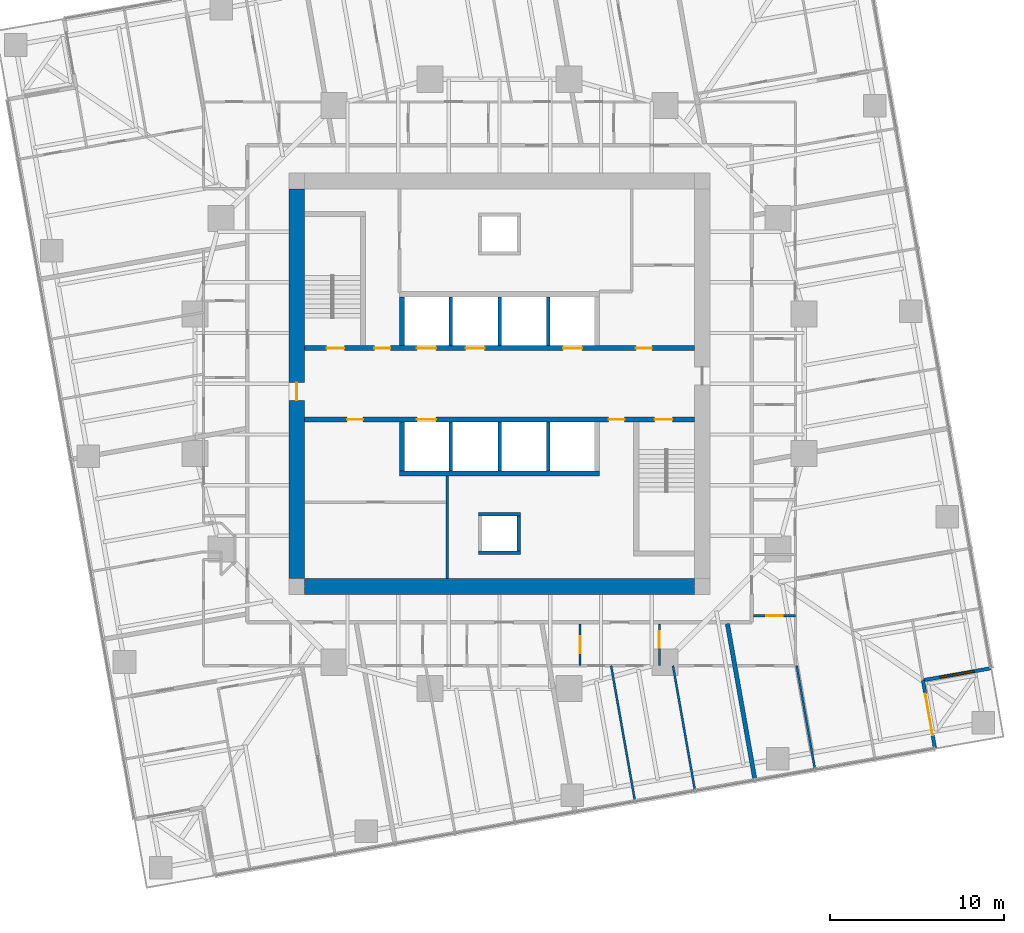
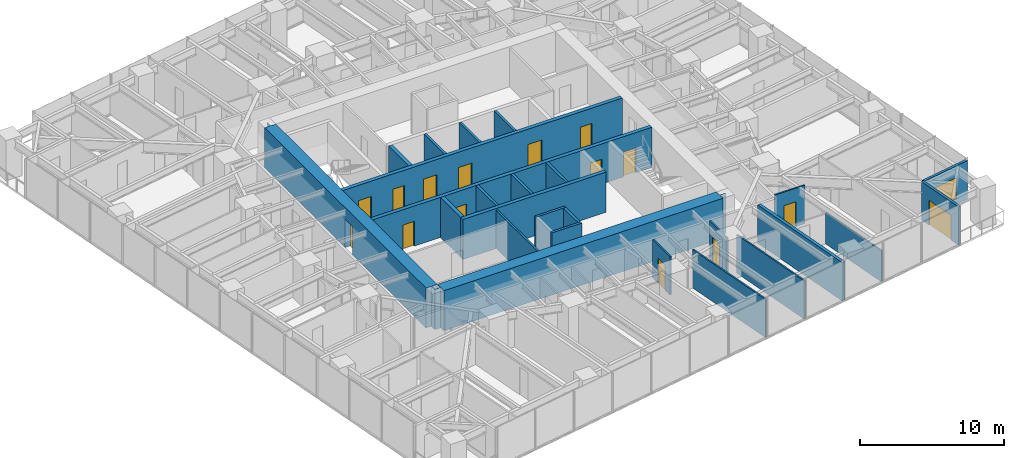
# One storey, part 10 of 14: 26 walls, 15 doors, 1 window, 16 openings.
"""IFC4 building model written with IfcOpenShell, lengths in metres."""

from ifc_helpers import new_model, si_unit, direction, frame, frame_2d, origin, place, context, subcontext, project, spatial, polyline, rectangle, outline, extrude, material, layer, layer_set, type_object, element, fill, save


model = new_model("IFC4")

# Units and contexts
model_context = context("Model", 3, precision=1e-05, world=origin(), true_north=direction((0.0, 1.0)))
body_context = subcontext(model_context, "Body", "Model", "MODEL_VIEW")
ifc_project = project(units=[si_unit("LENGTHUNIT", "METRE"), si_unit("AREAUNIT", "SQUARE_METRE"), si_unit("VOLUMEUNIT", "CUBIC_METRE"), si_unit("PLANEANGLEUNIT", "RADIAN"), si_unit("MASSUNIT", "GRAM", prefix="KILO")], contexts=[model_context])

# Site, building, storey
site_placement = place(None, origin())
site = spatial("IfcSite", under=ifc_project, at=site_placement, CompositionType="ELEMENT")
building_placement = place(site_placement, origin())
building = spatial("IfcBuilding", under=site, at=building_placement, Name="Torsade Residences", CompositionType="ELEMENT")
storey_placement = place(building_placement, frame((0.0, 0.0, 89.60009765625)))
storey = spatial("IfcBuildingStorey", under=building, at=storey_placement, Name="L24", CompositionType="ELEMENT", Elevation=89.60009765625)

# Wall, openings, doors
ifc_material_1 = material(Name="Concrete 80 MPa", Category="concrete")
ifc_layer_1 = layer(ifc_material_1, 0.300048828125)
ifc_layer_set_1 = layer_set([ifc_layer_1], Name="Concrete 80 MPa")
wall_type_1 = type_object("IfcWallType", Name="CORE INTERNAL WALL 300", PredefinedType="SHEAR", material=ifc_layer_set_1)
wall_1_placement = place(storey_placement, frame((28.800048828125, 32.050048828125, 0.0), z_axis=(0.0, 0.0, 1.0), x_axis=(1.0, 0.0, 0.0)))
wall_1 = element("IfcWall", 1, at=wall_1_placement, inside=storey, type_object=wall_type_1, Name="Core wall LN L24", PredefinedType="SHEAR", context=body_context, shape_type="SweptSolid", body=[
    extrude(rectangle(XDim=22.39990234375, YDim=0.300048828125, at=frame_2d((11.199951171875, 0.0))), origin(), (0.0, 0.0, 1.0), 3.39990234375),
])
opening_1_placement = place(wall_1_placement, frame((19.0400390625, 0.0, 0.0)))
opening_1 = element("IfcOpeningElement", 2, at=opening_1_placement, cuts=wall_1, Name="Opening D06", PredefinedType="OPENING", context=body_context, shape_type="SweptSolid", body=[
    extrude(rectangle(XDim=0.919921875, YDim=2.10009765625, at=frame_2d((0.4599609375, 1.050048828125))), frame((0.0, 0.159912109375, 0.0), z_axis=(0.0, -1.0, 0.0), x_axis=(1.0, 0.0, 0.0)), (0.0, 0.0, 1.0), 0.320068359375),
])
opening_2_placement = place(wall_1_placement, frame((1.264892578125, 0.0, 0.0)))
opening_2 = element("IfcOpeningElement", 3, at=opening_2_placement, cuts=wall_1, Name="Opening D03", PredefinedType="OPENING", context=body_context, shape_type="SweptSolid", body=[
    extrude(rectangle(XDim=1.02001953125, YDim=2.10009765625, at=frame_2d((0.510009765625, 1.050048828125))), frame((0.0, 0.159912109375, 0.0), z_axis=(0.0, -1.0, 0.0), x_axis=(1.0, 0.0, 0.0)), (0.0, 0.0, 1.0), 0.320068359375),
])
opening_3_placement = place(wall_1_placement, frame((4.014892578125, 0.0, 0.0)))
opening_3 = element("IfcOpeningElement", 4, at=opening_3_placement, cuts=wall_1, Name="Opening D06", PredefinedType="OPENING", context=body_context, shape_type="SweptSolid", body=[
    extrude(rectangle(XDim=0.919921875, YDim=2.10009765625, at=frame_2d((0.4599609375, 1.050048828125))), frame((0.0, 0.159912109375, 0.0), z_axis=(0.0, -1.0, 0.0), x_axis=(1.0, 0.0, 0.0)), (0.0, 0.0, 1.0), 0.320068359375),
])
opening_4_placement = place(wall_1_placement, frame((6.449951171875, 0.0, 0.0)))
opening_4 = element("IfcOpeningElement", 5, at=opening_4_placement, cuts=wall_1, Name="Opening LD", PredefinedType="OPENING", context=body_context, shape_type="SweptSolid", body=[
    extrude(rectangle(XDim=1.10009765625, YDim=2.10009765625, at=frame_2d((0.550048828125, 1.050048828125))), frame((0.0, 0.159912109375, 0.0), z_axis=(0.0, -1.0, 0.0), x_axis=(1.0, 0.0, 0.0)), (0.0, 0.0, 1.0), 0.320068359375),
])
opening_5_placement = place(wall_1_placement, frame((9.25, 0.0, 0.0)))
opening_5 = element("IfcOpeningElement", 6, at=opening_5_placement, cuts=wall_1, Name="Opening LD", PredefinedType="OPENING", context=body_context, shape_type="SweptSolid", body=[
    extrude(rectangle(XDim=1.10009765625, YDim=2.10009765625, at=frame_2d((0.550048828125, 1.050048828125))), frame((0.0, 0.159912109375, 0.0), z_axis=(0.0, -1.0, 0.0), x_axis=(1.0, 0.0, 0.0)), (0.0, 0.0, 1.0), 0.320068359375),
])
opening_6_placement = place(wall_1_placement, frame((14.85009765625, 0.0, 0.0)))
opening_6 = element("IfcOpeningElement", 7, at=opening_6_placement, cuts=wall_1, Name="Opening LD", PredefinedType="OPENING", context=body_context, shape_type="SweptSolid", body=[
    extrude(rectangle(XDim=1.10009765625, YDim=2.10009765625, at=frame_2d((0.550048828125, 1.050048828125))), frame((0.0, 0.159912109375, 0.0), z_axis=(0.0, -1.0, 0.0), x_axis=(1.0, 0.0, 0.0)), (0.0, 0.0, 1.0), 0.320068359375),
])
ifc_material_2 = material(Name="Steel-framed fire door", Category="steel")
door_type_1 = type_object("IfcDoorType", Name="FIRE DOOR 1020", OperationType="NOTDEFINED", PredefinedType="DOOR", material=ifc_material_2)
door_1_placement = place(opening_2_placement, origin())
door_1 = element("IfcDoor", 8, at=door_1_placement, inside=storey, type_object=door_type_1, Name="Exit door to fire-isolated stair ST1 L24", OperationType="SINGLE_SWING_RIGHT", OverallHeight=2.10009765625, OverallWidth=1.02001953125, PredefinedType="DOOR", context=body_context, shape_type="SweptSolid", body=[
    extrude(rectangle(XDim=1.02001953125, YDim=2.10009765625, at=frame_2d((0.510009765625, 1.050048828125))), frame((0.0, 0.02490234375, 0.0), z_axis=(0.0, -1.0, 0.0), x_axis=(1.0, 0.0, 0.0)), (0.0, 0.0, 1.0), 0.050048828125),
])
fill(opening_2, door_1)
ifc_material_3 = material(Name="Steel-framed fire door", Category="steel")
door_type_2 = type_object("IfcDoorType", Name="FIRE DOOR 920", OperationType="NOTDEFINED", PredefinedType="DOOR", material=ifc_material_3)
door_2_placement = place(opening_1_placement, origin())
door_2 = element("IfcDoor", 9, at=door_2_placement, inside=storey, type_object=door_type_2, Name="Door Lift lobby to Refuse room", OperationType="SINGLE_SWING_LEFT", OverallHeight=2.10009765625, OverallWidth=0.919921875, PredefinedType="DOOR", context=body_context, shape_type="SweptSolid", body=[
    extrude(rectangle(XDim=0.919921875, YDim=2.10009765625, at=frame_2d((0.4599609375, 1.050048828125))), frame((0.0, 0.02490234375, 0.0), z_axis=(0.0, -1.0, 0.0), x_axis=(1.0, 0.0, 0.0)), (0.0, 0.0, 1.0), 0.050048828125),
])
fill(opening_1, door_2)
door_3_placement = place(opening_3_placement, origin())
door_3 = element("IfcDoor", 10, at=door_3_placement, inside=storey, type_object=door_type_2, Name="Door Lift lobby to Meter store", OperationType="SINGLE_SWING_LEFT", OverallHeight=2.10009765625, OverallWidth=0.919921875, PredefinedType="DOOR", context=body_context, shape_type="SweptSolid", body=[
    extrude(rectangle(XDim=0.919921875, YDim=2.10009765625, at=frame_2d((0.4599609375, 1.050048828125))), frame((0.0, 0.02490234375, 0.0), z_axis=(0.0, -1.0, 0.0), x_axis=(1.0, 0.0, 0.0)), (0.0, 0.0, 1.0), 0.050048828125),
])
fill(opening_3, door_3)
ifc_material_4 = material(Name="Stainless steel lift landing door", Category="steel")
door_type_3 = type_object("IfcDoorType", Name="LIFT LANDING DOOR 1100", OperationType="SLIDING_TO_LEFT", PredefinedType="DOOR", material=ifc_material_4)
door_4_placement = place(opening_4_placement, origin())
door_4 = element("IfcDoor", 11, at=door_4_placement, inside=storey, type_object=door_type_3, Name="Lift LA1 landing door L24", OperationType="SLIDING_TO_LEFT", OverallHeight=2.10009765625, OverallWidth=1.10009765625, PredefinedType="DOOR", context=body_context, shape_type="SweptSolid", body=[
    extrude(rectangle(XDim=1.10009765625, YDim=2.10009765625, at=frame_2d((0.550048828125, 1.050048828125))), frame((0.0, 0.02490234375, 0.0), z_axis=(0.0, -1.0, 0.0), x_axis=(1.0, 0.0, 0.0)), (0.0, 0.0, 1.0), 0.050048828125),
])
fill(opening_4, door_4)
door_5_placement = place(opening_5_placement, origin())
door_5 = element("IfcDoor", 12, at=door_5_placement, inside=storey, type_object=door_type_3, Name="Lift LA2 landing door L24", OperationType="SLIDING_TO_LEFT", OverallHeight=2.10009765625, OverallWidth=1.10009765625, PredefinedType="DOOR", context=body_context, shape_type="SweptSolid", body=[
    extrude(rectangle(XDim=1.10009765625, YDim=2.10009765625, at=frame_2d((0.550048828125, 1.050048828125))), frame((0.0, 0.02490234375, 0.0), z_axis=(0.0, -1.0, 0.0), x_axis=(1.0, 0.0, 0.0)), (0.0, 0.0, 1.0), 0.050048828125),
])
fill(opening_5, door_5)
door_6_placement = place(opening_6_placement, origin())
door_6 = element("IfcDoor", 13, at=door_6_placement, inside=storey, type_object=door_type_3, Name="Lift FL1 landing door L24", OperationType="SLIDING_TO_LEFT", OverallHeight=2.10009765625, OverallWidth=1.10009765625, PredefinedType="DOOR", context=body_context, shape_type="SweptSolid", body=[
    extrude(rectangle(XDim=1.10009765625, YDim=2.10009765625, at=frame_2d((0.550048828125, 1.050048828125))), frame((0.0, 0.02490234375, 0.0), z_axis=(0.0, -1.0, 0.0), x_axis=(1.0, 0.0, 0.0)), (0.0, 0.0, 1.0), 0.050048828125),
])
fill(opening_6, door_6)

wall_2_placement = place(storey_placement, frame((51.199951171875, 27.949951171875, 0.0), z_axis=(0.0, 0.0, 1.0), x_axis=(-1.0, 0.0, 0.0)))
wall_2 = element("IfcWall", 14, at=wall_2_placement, inside=storey, type_object=wall_type_1, Name="Core wall LS L24", PredefinedType="SHEAR", context=body_context, shape_type="SweptSolid", body=[
    extrude(rectangle(XDim=22.39990234375, YDim=0.300048828125, at=frame_2d((11.199951171875, 0.0))), origin(), (0.0, 0.0, 1.0), 3.39990234375),
])
opening_7_placement = place(wall_2_placement, frame((19.0400390625, 0.0, 0.0)))
opening_7 = element("IfcOpeningElement", 15, at=opening_7_placement, cuts=wall_2, Name="Opening D06", PredefinedType="OPENING", context=body_context, shape_type="SweptSolid", body=[
    extrude(rectangle(XDim=0.919921875, YDim=2.10009765625, at=frame_2d((0.4599609375, 1.050048828125))), frame((0.0, 0.159912109375, 0.0), z_axis=(0.0, -1.0, 0.0), x_axis=(1.0, 0.0, 0.0)), (0.0, 0.0, 1.0), 0.320068359375),
])
opening_8_placement = place(wall_2_placement, frame((1.264892578125, 0.0, 0.0)))
opening_8 = element("IfcOpeningElement", 16, at=opening_8_placement, cuts=wall_2, Name="Opening D03", PredefinedType="OPENING", context=body_context, shape_type="SweptSolid", body=[
    extrude(rectangle(XDim=1.02001953125, YDim=2.10009765625, at=frame_2d((0.510009765625, 1.050048828125))), frame((0.0, 0.159912109375, 0.0), z_axis=(0.0, -1.0, 0.0), x_axis=(1.0, 0.0, 0.0)), (0.0, 0.0, 1.0), 0.320068359375),
])
opening_9_placement = place(wall_2_placement, frame((4.014892578125, 0.0, 0.0)))
opening_9 = element("IfcOpeningElement", 17, at=opening_9_placement, cuts=wall_2, Name="Opening D06", PredefinedType="OPENING", context=body_context, shape_type="SweptSolid", body=[
    extrude(rectangle(XDim=0.919921875, YDim=2.10009765625, at=frame_2d((0.4599609375, 1.050048828125))), frame((0.0, 0.159912109375, 0.0), z_axis=(0.0, -1.0, 0.0), x_axis=(1.0, 0.0, 0.0)), (0.0, 0.0, 1.0), 0.320068359375),
])
opening_10_placement = place(wall_2_placement, frame((14.85009765625, 0.0, 0.0)))
opening_10 = element("IfcOpeningElement", 18, at=opening_10_placement, cuts=wall_2, Name="Opening LD", PredefinedType="OPENING", context=body_context, shape_type="SweptSolid", body=[
    extrude(rectangle(XDim=1.10009765625, YDim=2.10009765625, at=frame_2d((0.550048828125, 1.050048828125))), frame((0.0, 0.159912109375, 0.0), z_axis=(0.0, -1.0, 0.0), x_axis=(1.0, 0.0, 0.0)), (0.0, 0.0, 1.0), 0.320068359375),
])
door_7_placement = place(opening_8_placement, origin())
door_7 = element("IfcDoor", 19, at=door_7_placement, inside=storey, type_object=door_type_1, Name="Exit door to fire-isolated stair ST2 L24", OperationType="SINGLE_SWING_RIGHT", OverallHeight=2.10009765625, OverallWidth=1.02001953125, PredefinedType="DOOR", context=body_context, shape_type="SweptSolid", body=[
    extrude(rectangle(XDim=1.02001953125, YDim=2.10009765625, at=frame_2d((0.510009765625, 1.050048828125))), frame((0.0, 0.02490234375, 0.0), z_axis=(0.0, -1.0, 0.0), x_axis=(1.0, 0.0, 0.0)), (0.0, 0.0, 1.0), 0.050048828125),
])
fill(opening_8, door_7)
door_8_placement = place(opening_7_placement, origin())
door_8 = element("IfcDoor", 20, at=door_8_placement, inside=storey, type_object=door_type_2, Name="Door Lift lobby to Cleaner store", OperationType="SINGLE_SWING_LEFT", OverallHeight=2.10009765625, OverallWidth=0.919921875, PredefinedType="DOOR", context=body_context, shape_type="SweptSolid", body=[
    extrude(rectangle(XDim=0.919921875, YDim=2.10009765625, at=frame_2d((0.4599609375, 1.050048828125))), frame((0.0, 0.02490234375, 0.0), z_axis=(0.0, -1.0, 0.0), x_axis=(1.0, 0.0, 0.0)), (0.0, 0.0, 1.0), 0.050048828125),
])
fill(opening_7, door_8)
door_9_placement = place(opening_9_placement, origin())
door_9 = element("IfcDoor", 21, at=door_9_placement, inside=storey, type_object=door_type_2, Name="Door Lift lobby to Communications riser room", OperationType="SINGLE_SWING_RIGHT", OverallHeight=2.10009765625, OverallWidth=0.919921875, PredefinedType="DOOR", context=body_context, shape_type="SweptSolid", body=[
    extrude(rectangle(XDim=0.919921875, YDim=2.10009765625, at=frame_2d((0.4599609375, 1.050048828125))), frame((0.0, 0.02490234375, 0.0), z_axis=(0.0, -1.0, 0.0), x_axis=(1.0, 0.0, 0.0)), (0.0, 0.0, 1.0), 0.050048828125),
])
fill(opening_9, door_9)
door_10_placement = place(opening_10_placement, origin())
door_10 = element("IfcDoor", 22, at=door_10_placement, inside=storey, type_object=door_type_3, Name="Lift FL2 landing door L24", OperationType="SLIDING_TO_LEFT", OverallHeight=2.10009765625, OverallWidth=1.10009765625, PredefinedType="DOOR", context=body_context, shape_type="SweptSolid", body=[
    extrude(rectangle(XDim=1.10009765625, YDim=2.10009765625, at=frame_2d((0.550048828125, 1.050048828125))), frame((0.0, 0.02490234375, 0.0), z_axis=(0.0, -1.0, 0.0), x_axis=(1.0, 0.0, 0.0)), (0.0, 0.0, 1.0), 0.050048828125),
])
fill(opening_10, door_10)

# Walls
wall_3_placement = place(storey_placement, frame((45.75, 24.85009765625, 0.0), z_axis=(0.0, 0.0, 1.0), x_axis=(-1.0, 0.0, 0.0)))
element("IfcWall", 23, at=wall_3_placement, inside=storey, type_object=wall_type_1, Name="Core wall BS L24", PredefinedType="SHEAR", context=body_context, shape_type="SweptSolid", body=[
    extrude(rectangle(XDim=11.5, YDim=0.300048828125, at=frame_2d((5.75, 0.0))), origin(), (0.0, 0.0, 1.0), 3.39990234375),
])
for number, where, z_axis, x_axis, name in (
    (24, (34.39990234375, 32.199951171875, 0.0), (0.0, 0.0, 1.0), (0.0, 1.0, 0.0), "Core wall DN0 L24"),
    (25, (34.39990234375, 27.800048828125, 0.0), (0.0, 0.0, 1.0), (0.0, -1.0, 0.0), "Core wall DS4 L24"),
):
    element("IfcWall", number, at=place(storey_placement, frame(where, z_axis=z_axis, x_axis=x_axis)), inside=storey, type_object=wall_type_1, Name=name, PredefinedType="SHEAR", context=body_context, shape_type="SweptSolid", body=[
        extrude(rectangle(XDim=2.800048828125, YDim=0.300048828125, at=frame_2d((1.39990234375, 0.0))), origin(), (0.0, 0.0, 1.0), 3.39990234375),
    ])
ifc_material_5 = material(Name="Concrete 80 MPa", Category="concrete")
ifc_layer_2 = layer(ifc_material_5, 0.89990234375)
ifc_layer_set_2 = layer_set([ifc_layer_2], Name="Concrete 80 MPa")
wall_type_2 = type_object("IfcWallType", Name="CORE WALL 900", PredefinedType="SHEAR", material=ifc_layer_set_2)
wall_4_placement = place(storey_placement, frame((51.199951171875, 18.35009765625, 0.0), z_axis=(0.0, 0.0, 1.0), x_axis=(-1.0, 0.0, 0.0)))
element("IfcWall", 26, at=wall_4_placement, inside=storey, type_object=wall_type_2, Name="Core wall S L24", PredefinedType="SHEAR", context=body_context, shape_type="SweptSolid", body=[
    extrude(outline(polyline([(0.0, -0.449951171875), (22.39990234375, -0.449951171875), (22.39990234375, -0.02490234375), (22.849853515625, -0.02490234375), (22.849853515625, 0.02490234375), (22.39990234375, 0.02490234375), (22.39990234375, 0.449951171875), (0.0, 0.449951171875), (0.0, 0.02490234375), (-0.449951171875, 0.02490234375), (-0.449951171875, -0.02490234375), (0.0, -0.02490234375), (0.0, -0.449951171875)])), origin(), (0.0, 0.0, 1.0), 3.39990234375),
])

# Wall, opening, door
wall_5_placement = place(storey_placement, frame((28.35009765625, 41.199951171875, 0.0), z_axis=(0.0, 0.0, 1.0), x_axis=(0.0, -1.0, 0.0)))
wall_5 = element("IfcWall", 27, at=wall_5_placement, inside=storey, type_object=wall_type_2, Name="Core wall W L24", PredefinedType="SHEAR", context=body_context, shape_type="SweptSolid", body=[
    extrude(outline(polyline([(0.0, -0.449951171875), (22.39990234375, -0.449951171875), (22.39990234375, -0.02490234375), (22.849853515625, -0.02490234375), (22.849853515625, 0.02490234375), (22.39990234375, 0.02490234375), (22.39990234375, 0.449951171875), (0.0, 0.449951171875), (0.0, 0.02490234375), (-0.449951171875, 0.02490234375), (-0.449951171875, -0.02490234375), (0.0, -0.02490234375), (0.0, -0.449951171875)])), origin(), (0.0, 0.0, 1.0), 3.39990234375),
])
opening_11_placement = place(wall_5_placement, frame((11.139892578125, 0.0, 0.0)))
opening_11 = element("IfcOpeningElement", 28, at=opening_11_placement, cuts=wall_5, Name="Opening D04", PredefinedType="OPENING", context=body_context, shape_type="SweptSolid", body=[
    extrude(rectangle(XDim=1.02001953125, YDim=2.39990234375, at=frame_2d((0.510009765625, 1.199951171875))), frame((0.0, 0.4599609375, 0.0), z_axis=(0.0, -1.0, 0.0), x_axis=(1.0, 0.0, 0.0)), (0.0, 0.0, 1.0), 0.919921875),
])
ifc_material_6 = material(Name="Steel-framed fire door", Category="steel")
door_type_4 = type_object("IfcDoorType", Name="LOBBY SMOKE DOOR 1020x2400", OperationType="NOTDEFINED", PredefinedType="DOOR", material=ifc_material_6)
door_11_placement = place(opening_11_placement, origin())
door_11 = element("IfcDoor", 29, at=door_11_placement, inside=storey, type_object=door_type_4, Name="Lift lobby door W L24", OperationType="SINGLE_SWING_RIGHT", OverallHeight=2.39990234375, OverallWidth=1.02001953125, PredefinedType="DOOR", context=body_context, shape_type="SweptSolid", body=[
    extrude(rectangle(XDim=1.02001953125, YDim=2.39990234375, at=frame_2d((0.510009765625, 1.199951171875))), frame((0.0, 0.02490234375, 0.0), z_axis=(0.0, -1.0, 0.0), x_axis=(1.0, 0.0, 0.0)), (0.0, 0.0, 1.0), 0.050048828125),
])
fill(opening_11, door_11)

# Walls
ifc_material_7 = material(Name="Reinforced blockwork", Category="masonry")
ifc_layer_3 = layer(ifc_material_7, 0.199951171875)
ifc_layer_set_3 = layer_set([ifc_layer_3], Name="Reinforced blockwork")
wall_type_3 = type_object("IfcWallType", Name="LIFT SHAFT DIVIDING WALL 200", PredefinedType="SOLIDWALL", material=ifc_layer_set_3)
for number, where, z_axis, x_axis, name in (
    (30, (37.199951171875, 32.199951171875, 0.0), (0.0, 0.0, 1.0), (0.0, 1.0, 0.0), "Core wall DN1 L24"),
    (31, (42.800048828125, 27.800048828125, 0.0), (0.0, 0.0, 1.0), (0.0, -1.0, 0.0), "Core wall DS1 L24"),
    (32, (40.0, 32.199951171875, 0.0), (0.0, 0.0, 1.0), (0.0, 1.0, 0.0), "Core wall DN2 L24"),
    (33, (40.0, 27.800048828125, 0.0), (0.0, 0.0, 1.0), (0.0, -1.0, 0.0), "Core wall DS2 L24"),
    (34, (42.800048828125, 32.199951171875, 0.0), (0.0, 0.0, 1.0), (0.0, 1.0, 0.0), "Core wall DN3 L24"),
    (35, (37.199951171875, 27.800048828125, 0.0), (0.0, 0.0, 1.0), (0.0, -1.0, 0.0), "Core wall DS3 L24"),
):
    element("IfcWall", number, at=place(storey_placement, frame(where, z_axis=z_axis, x_axis=x_axis)), inside=storey, type_object=wall_type_3, Name=name, PredefinedType="SOLIDWALL", context=body_context, shape_type="SweptSolid", body=[
        extrude(rectangle(XDim=2.800048828125, YDim=0.199951171875, at=frame_2d((1.39990234375, 0.0))), origin(), (0.0, 0.0, 1.0), 3.39990234375),
    ])

# Wall, opening, door
ifc_material_8 = material(Name="Plasterboard on steel stud", Category="steel")
ifc_layer_4 = layer(ifc_material_8, 0.1201171875)
ifc_layer_set_4 = layer_set([ifc_layer_4], Name="Plasterboard on steel stud")
wall_type_4 = type_object("IfcWallType", Name="PARTITION 120", PredefinedType="PARTITIONING", material=ifc_layer_set_4)
wall_6_placement = place(storey_placement, frame((49.184814453125, 16.199951171875, 0.0), z_axis=(0.0, 0.0, 1.0), x_axis=(0.0, -1.0, 0.0)))
wall_6 = element("IfcWall", 36, at=wall_6_placement, inside=storey, type_object=wall_type_4, Name="Partition L24", PredefinedType="PARTITIONING", context=body_context, shape_type="SweptSolid", body=[
    extrude(rectangle(XDim=2.39990234375, YDim=0.1201171875, at=frame_2d((1.199951171875, 0.0))), origin(), (0.0, 0.0, 1.0), 3.25),
])
opening_12_placement = place(wall_6_placement, frame((0.419921875, 0.0, 0.0)))
opening_12 = element("IfcOpeningElement", 37, at=opening_12_placement, cuts=wall_6, Name="Opening D05", PredefinedType="OPENING", context=body_context, shape_type="SweptSolid", body=[
    extrude(rectangle(XDim=0.9599609375, YDim=2.10009765625, at=frame_2d((0.47998046875, 1.050048828125))), frame((0.0, 0.070068359375, 0.0), z_axis=(0.0, -1.0, 0.0), x_axis=(1.0, 0.0, 0.0)), (0.0, 0.0, 1.0), 0.14013671875),
])
ifc_material_9 = material(Name="Hollow-core timber door in a steel cavity frame", Category="steel")
door_type_5 = type_object("IfcDoorType", Name="BATHROOM CAVITY SLIDING DOOR 960", OperationType="SLIDING_TO_LEFT", PredefinedType="DOOR", material=ifc_material_9)
door_12_placement = place(opening_12_placement, origin())
door_12 = element("IfcDoor", 38, at=door_12_placement, inside=storey, type_object=door_type_5, Name="Door Kitchen and dining to Bathroom", OperationType="SLIDING_TO_LEFT", OverallHeight=2.10009765625, OverallWidth=0.9599609375, PredefinedType="DOOR", context=body_context, shape_type="SweptSolid", body=[
    extrude(rectangle(XDim=0.9599609375, YDim=2.10009765625, at=frame_2d((0.47998046875, 1.050048828125))), frame((0.0, 0.02490234375, 0.0), z_axis=(0.0, -1.0, 0.0), x_axis=(1.0, 0.0, 0.0)), (0.0, 0.0, 1.0), 0.050048828125),
])
fill(opening_12, door_12)

wall_7_placement = place(storey_placement, frame((44.627685546875, 13.800048828125, 0.0), z_axis=(0.0, 0.0, 1.0), x_axis=(0.0, 1.0, 0.0)))
wall_7 = element("IfcWall", 39, at=wall_7_placement, inside=storey, type_object=wall_type_4, Name="Partition L24", PredefinedType="PARTITIONING", context=body_context, shape_type="SweptSolid", body=[
    extrude(rectangle(XDim=2.39990234375, YDim=0.1201171875, at=frame_2d((1.199951171875, 0.0))), origin(), (0.0, 0.0, 1.0), 3.25),
])
opening_13_placement = place(wall_7_placement, frame((0.719970703125, 0.0, 0.0)))
opening_13 = element("IfcOpeningElement", 40, at=opening_13_placement, cuts=wall_7, Name="Opening D05", PredefinedType="OPENING", context=body_context, shape_type="SweptSolid", body=[
    extrude(rectangle(XDim=0.9599609375, YDim=2.10009765625, at=frame_2d((0.47998046875, 1.050048828125))), frame((0.0, 0.070068359375, 0.0), z_axis=(0.0, -1.0, 0.0), x_axis=(1.0, 0.0, 0.0)), (0.0, 0.0, 1.0), 0.14013671875),
])
door_13_placement = place(opening_13_placement, origin())
door_13 = element("IfcDoor", 41, at=door_13_placement, inside=storey, type_object=door_type_5, Name="Door Kitchen and dining to Ensuite", OperationType="SLIDING_TO_LEFT", OverallHeight=2.10009765625, OverallWidth=0.9599609375, PredefinedType="DOOR", context=body_context, shape_type="SweptSolid", body=[
    extrude(rectangle(XDim=0.9599609375, YDim=2.10009765625, at=frame_2d((0.47998046875, 1.050048828125))), frame((0.0, 0.02490234375, 0.0), z_axis=(0.0, -1.0, 0.0), x_axis=(1.0, 0.0, 0.0)), (0.0, 0.0, 1.0), 0.050048828125),
])
fill(opening_13, door_13)

# Walls
wall_8_placement = place(storey_placement, frame((46.410400390625, 13.800048828125, 0.0), z_axis=(0.0, 0.0, 1.0), x_axis=(0.173645935638, -0.98480814834, 0.0)))
element("IfcWall", 42, at=wall_8_placement, inside=storey, type_object=wall_type_4, Name="Partition L24", PredefinedType="PARTITIONING", context=body_context, shape_type="SweptSolid", body=[
    extrude(rectangle(XDim=7.89306640625, YDim=0.1201171875, at=frame_2d((3.946533203125, 0.0))), origin(), (0.0, 0.0, 1.0), 3.25),
])
wall_9_placement = place(storey_placement, frame((49.96435546875, 13.800048828125, 0.0), z_axis=(0.0, 0.0, 1.0), x_axis=(0.173647508681, -0.984807870972, 0.0)))
element("IfcWall", 43, at=wall_9_placement, inside=storey, type_object=wall_type_4, Name="Partition L24", PredefinedType="PARTITIONING", context=body_context, shape_type="SweptSolid", body=[
    extrude(rectangle(XDim=7.27587890625, YDim=0.1201171875, at=frame_2d((3.637939453125, 0.0))), origin(), (0.0, 0.0, 1.0), 3.25),
])

# Wall, opening, door
wall_10_placement = place(storey_placement, frame((57.0, 16.671142578125, 0.0), z_axis=(0.0, 0.0, 1.0), x_axis=(-1.0, 0.0, 0.0)))
wall_10 = element("IfcWall", 44, at=wall_10_placement, inside=storey, type_object=wall_type_4, Name="Partition L24", PredefinedType="PARTITIONING", context=body_context, shape_type="SweptSolid", body=[
    extrude(rectangle(XDim=2.39990234375, YDim=0.1201171875, at=frame_2d((1.199951171875, 0.0))), origin(), (0.0, 0.0, 1.0), 3.25),
])
opening_14_placement = place(wall_10_placement, frame((0.719970703125, 0.0, 0.0)))
opening_14 = element("IfcOpeningElement", 45, at=opening_14_placement, cuts=wall_10, Name="Opening D05", PredefinedType="OPENING", context=body_context, shape_type="SweptSolid", body=[
    extrude(rectangle(XDim=0.9599609375, YDim=2.10009765625, at=frame_2d((0.47998046875, 1.050048828125))), frame((0.0, 0.070068359375, 0.0), z_axis=(0.0, -1.0, 0.0), x_axis=(1.0, 0.0, 0.0)), (0.0, 0.0, 1.0), 0.14013671875),
])
door_14_placement = place(opening_14_placement, origin())
door_14 = element("IfcDoor", 46, at=door_14_placement, inside=storey, type_object=door_type_5, Name="Door Kitchen and dining to WC", OperationType="SLIDING_TO_LEFT", OverallHeight=2.10009765625, OverallWidth=0.9599609375, PredefinedType="DOOR", context=body_context, shape_type="SweptSolid", body=[
    extrude(rectangle(XDim=0.9599609375, YDim=2.10009765625, at=frame_2d((0.47998046875, 1.050048828125))), frame((0.0, 0.02490234375, 0.0), z_axis=(0.0, -1.0, 0.0), x_axis=(1.0, 0.0, 0.0)), (0.0, 0.0, 1.0), 0.050048828125),
])
fill(opening_14, door_14)

# Walls
wall_11_placement = place(storey_placement, frame((58.12158203125, 7.850341796875, 0.0), z_axis=(0.0, 0.0, 1.0), x_axis=(-0.173644708382, 0.984808364734, 0.0)))
element("IfcWall", 47, at=wall_11_placement, inside=storey, type_object=wall_type_4, Name="Partition L24", PredefinedType="PARTITIONING", context=body_context, shape_type="SweptSolid", body=[
    extrude(rectangle(XDim=6.04150390625, YDim=0.1201171875, at=frame_2d((3.020751953125, 0.0))), origin(), (0.0, 0.0, 1.0), 2.637939453125),
])
ifc_material_10 = material(Name="Masonry-lined stud party wall", Category="masonry")
ifc_layer_5 = layer(ifc_material_10, 0.25)
ifc_layer_set_5 = layer_set([ifc_layer_5], Name="Masonry-lined stud party wall")
wall_type_5 = type_object("IfcWallType", Name="PARTY WALL 250", PredefinedType="PARTITIONING", material=ifc_layer_set_5)
wall_12_placement = place(storey_placement, frame((54.681640625, 7.203125, 0.0), z_axis=(0.0, 0.0, 1.0), x_axis=(-0.173630137029, 0.984810933893, 0.0)))
element("IfcWall", 48, at=wall_12_placement, inside=storey, type_object=wall_type_5, Name="Party wall L24", PredefinedType="PARTITIONING", context=body_context, shape_type="SweptSolid", body=[
    extrude(rectangle(XDim=9.153564453125, YDim=0.25, at=frame_2d((4.57666015625, 0.0))), origin(), (0.0, 0.0, 1.0), 3.25),
])
ifc_material_11 = material(Name="Reinforced blockwork", Category="masonry")
ifc_layer_6 = layer(ifc_material_11, 0.199951171875)
ifc_layer_set_6 = layer_set([ifc_layer_6], Name="Reinforced blockwork")
wall_type_6 = type_object("IfcWallType", Name="RISER SHAFT WALL 200", PredefinedType="SOLIDWALL", material=ifc_layer_set_6)
wall_13_placement = place(storey_placement, frame((41.10009765625, 22.39990234375, 0.0), z_axis=(0.0, 0.0, 1.0), x_axis=(0.0, -1.0, 0.0)))
element("IfcWall", 49, at=wall_13_placement, inside=storey, type_object=wall_type_6, Name="Core wall RS2b L24", PredefinedType="SOLIDWALL", context=body_context, shape_type="SweptSolid", body=[
    extrude(rectangle(XDim=2.0, YDim=0.199951171875, at=frame_2d((1.0, 0.0))), origin(), (0.0, 0.0, 1.0), 3.39990234375),
])
for number, where, z_axis, x_axis, name in (
    (50, (38.800048828125, 22.5, 0.0), (0.0, 0.0, 1.0), (1.0, 0.0, 0.0), "Core wall RS2c L24"),
    (51, (38.800048828125, 20.300048828125, 0.0), (0.0, 0.0, 1.0), (1.0, 0.0, 0.0), "Core wall RS2d L24"),
):
    element("IfcWall", number, at=place(storey_placement, frame(where, z_axis=z_axis, x_axis=x_axis)), inside=storey, type_object=wall_type_6, Name=name, PredefinedType="SOLIDWALL", context=body_context, shape_type="SweptSolid", body=[
        extrude(rectangle(XDim=2.39990234375, YDim=0.199951171875, at=frame_2d((1.199951171875, 0.0))), origin(), (0.0, 0.0, 1.0), 3.39990234375),
    ])
ifc_material_12 = material(Name="Reinforced blockwork", Category="masonry")
ifc_layer_7 = layer(ifc_material_12, 0.14990234375)
ifc_layer_set_7 = layer_set([ifc_layer_7], Name="Reinforced blockwork")
wall_type_7 = type_object("IfcWallType", Name="SERVICE ROOM WALL 150", PredefinedType="SOLIDWALL", material=ifc_layer_set_7)
wall_14_placement = place(storey_placement, frame((37.0, 18.800048828125, 0.0), z_axis=(0.0, 0.0, 1.0), x_axis=(0.0, 1.0, 0.0)))
element("IfcWall", 52, at=wall_14_placement, inside=storey, type_object=wall_type_7, Name="Service room wall L24", PredefinedType="SOLIDWALL", context=body_context, shape_type="SweptSolid", body=[
    extrude(rectangle(XDim=5.89990234375, YDim=0.14990234375, at=frame_2d((2.949951171875, 0.0))), origin(), (0.0, 0.0, 1.0), 3.25),
])

# Wall, opening, door
ifc_material_13 = material(Name="Stone-faced precast concrete 40 MPa panel", Category="masonry")
ifc_layer_8 = layer(ifc_material_13, 0.199951171875)
ifc_layer_set_8 = layer_set([ifc_layer_8], Name="Stone-faced precast concrete 40 MPa panel")
wall_type_8 = type_object("IfcWallType", Name="TERRACE WALL 200", PredefinedType="SOLIDWALL", material=ifc_layer_set_8)
wall_15_placement = place(storey_placement, frame((65.022216796875, 9.0263671875, 0.0), z_axis=(0.0, 0.0, 1.0), x_axis=(-0.173646056486, 0.984808127031, 0.0)))
wall_15 = element("IfcWall", 53, at=wall_15_placement, inside=storey, type_object=wall_type_8, Name="Terrace wall L24 2", PredefinedType="SOLIDWALL", context=body_context, shape_type="SweptSolid", body=[
    extrude(rectangle(XDim=4.0, YDim=0.199951171875, at=frame_2d((2.0, 0.0))), origin(), (0.0, 0.0, 1.0), 3.25),
])
opening_15_placement = place(wall_15_placement, frame((0.800048828125, 0.0, 0.0)))
opening_15 = element("IfcOpeningElement", 54, at=opening_15_placement, cuts=wall_15, Name="Opening D10A", PredefinedType="OPENING", context=body_context, shape_type="SweptSolid", body=[
    extrude(rectangle(XDim=2.39990234375, YDim=2.10009765625, at=frame_2d((1.199951171875, 1.050048828125))), frame((0.0, 0.10986328125, 0.0), z_axis=(0.0, -1.0, 0.0), x_axis=(1.0, 0.0, 0.0)), (0.0, 0.0, 1.0), 0.219970703125),
])
ifc_material_14 = material(Name="Aluminium-framed glass door", Category="aluminium")
door_type_6 = type_object("IfcDoorType", Name="TERRACE SLIDING DOOR 2400x2100", OperationType="SLIDING_TO_LEFT", PredefinedType="DOOR", material=ifc_material_14)
door_15_placement = place(opening_15_placement, origin())
door_15 = element("IfcDoor", 55, at=door_15_placement, inside=storey, type_object=door_type_6, Name="Terrace door L24 2", OperationType="SLIDING_TO_LEFT", OverallHeight=2.10009765625, OverallWidth=2.39990234375, PredefinedType="DOOR", context=body_context, shape_type="SweptSolid", body=[
    extrude(rectangle(XDim=2.39990234375, YDim=2.10009765625, at=frame_2d((1.199951171875, 1.050048828125))), frame((0.0, 0.02490234375, 0.0), z_axis=(0.0, -1.0, 0.0), x_axis=(1.0, 0.0, 0.0)), (0.0, 0.0, 1.0), 0.050048828125),
])
fill(opening_15, door_15)

# Wall, opening, window
wall_16_placement = place(storey_placement, frame((64.32763671875, 12.965576171875, 0.0), z_axis=(0.0, 0.0, 1.0), x_axis=(0.984808127031, 0.173646056486, 0.0)))
wall_16 = element("IfcWall", 56, at=wall_16_placement, inside=storey, type_object=wall_type_8, Name="Terrace wall L24 3", PredefinedType="SOLIDWALL", context=body_context, shape_type="SweptSolid", body=[
    extrude(rectangle(XDim=4.0, YDim=0.199951171875, at=frame_2d((2.0, 0.0))), origin(), (0.0, 0.0, 1.0), 3.25),
])
opening_16_placement = place(wall_16_placement, frame((1.0, 0.0, 0.449951171875)))
opening_16 = element("IfcOpeningElement", 57, at=opening_16_placement, cuts=wall_16, Name="Opening W1B", PredefinedType="OPENING", context=body_context, shape_type="SweptSolid", body=[
    extrude(rectangle(XDim=2.0, YDim=1.800048828125, at=frame_2d((1.0, 0.89990234375))), frame((0.0, 0.10986328125, 0.0), z_axis=(0.0, -1.0, 0.0), x_axis=(1.0, 0.0, 0.0)), (0.0, 0.0, 1.0), 0.219970703125),
])
ifc_material_15 = material(Name="Aluminium-framed glass window", Category="aluminium")
window_type = type_object("IfcWindowType", Name="TERRACE WINDOW 2000x1800", PartitioningType="SINGLE_PANEL", PredefinedType="WINDOW", material=ifc_material_15)
window_placement = place(opening_16_placement, origin())
window = element("IfcWindow", 58, at=window_placement, inside=storey, type_object=window_type, Name="Terrace window L24 3", OverallHeight=1.800048828125, OverallWidth=2.0, PartitioningType="SINGLE_PANEL", PredefinedType="WINDOW", context=body_context, shape_type="SweptSolid", body=[
    extrude(rectangle(XDim=2.0, YDim=1.800048828125, at=frame_2d((1.0, 0.89990234375))), frame((0.0, 0.030029296875, 0.0), z_axis=(0.0, -1.0, 0.0), x_axis=(1.0, 0.0, 0.0)), (0.0, 0.0, 1.0), 0.06005859375),
])
fill(opening_16, window)

save(model, "model.ifc")
